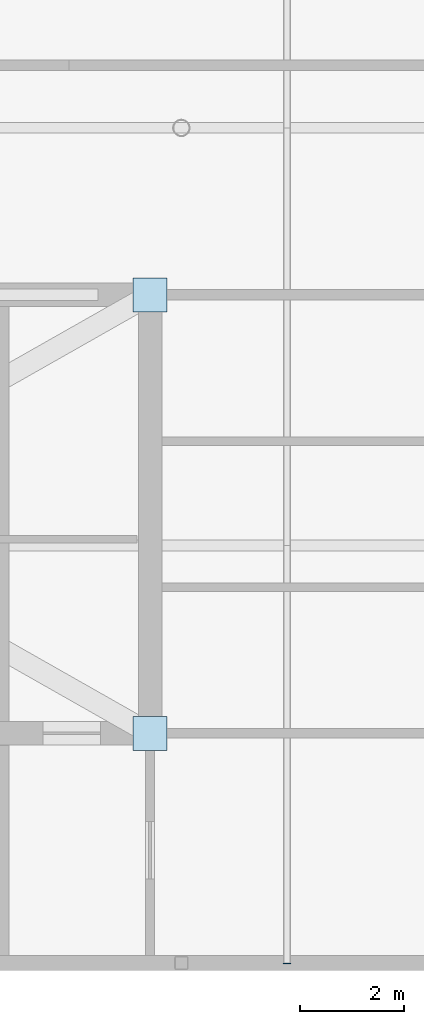
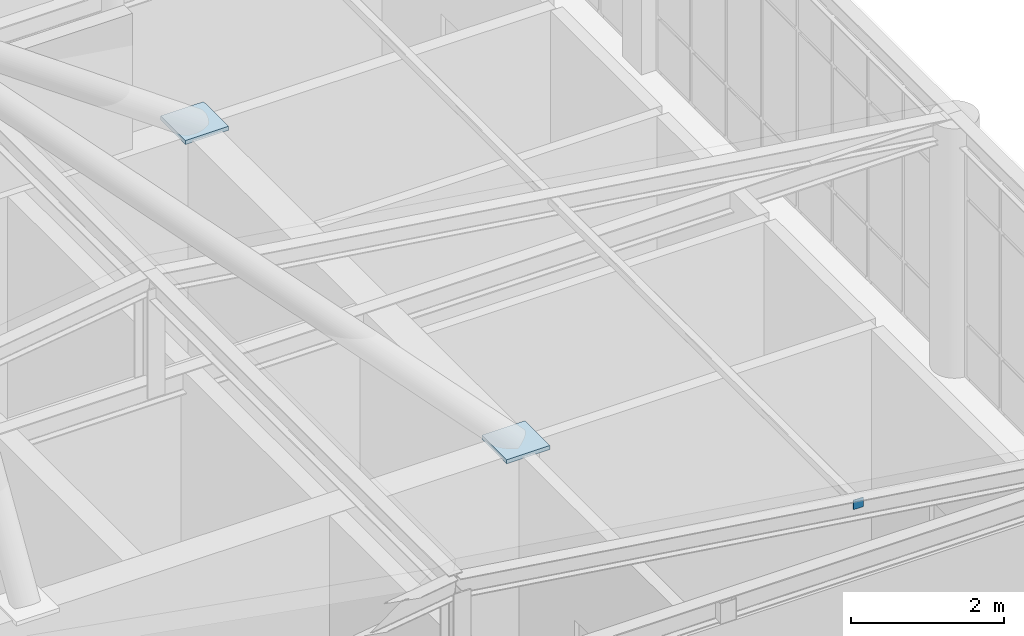
# One storey, part 15 of 21: 3 plates.
"""IFC4 building model written with IfcOpenShell, lengths in metres."""

from ifc_helpers import new_model, si_unit, direction, frame, origin, origin_2d, place, context, subcontext, project, spatial, rectangle, extrude, material, layer, layer_set, type_object, element, save


model = new_model("IFC4")

# Units and contexts
model_context = context("Model", 3, precision=1e-05, world=origin(), true_north=direction((0.0, 1.0)))
body_context = subcontext(model_context, "Body", "Model", "MODEL_VIEW")
ifc_project = project(units=[si_unit("LENGTHUNIT", "METRE"), si_unit("AREAUNIT", "SQUARE_METRE"), si_unit("VOLUMEUNIT", "CUBIC_METRE"), si_unit("PLANEANGLEUNIT", "RADIAN"), si_unit("MASSUNIT", "GRAM", prefix="KILO")], contexts=[model_context])

# Site, building, storey
site_placement = place(None, origin())
site = spatial("IfcSite", under=ifc_project, at=site_placement, CompositionType="ELEMENT")
building_placement = place(site_placement, origin())
building = spatial("IfcBuilding", under=site, at=building_placement, Name="Tarnveldt Square Police Headquarters", CompositionType="ELEMENT")
storey_placement = place(building_placement, frame((0.0, 0.0, 33.300048828125)))
storey = spatial("IfcBuildingStorey", under=building, at=storey_placement, Name="L07", CompositionType="ELEMENT", Elevation=33.300048828125)

# Plates
ifc_material = material(Name="Steel 350W", Category="steel")
ifc_layer_1 = layer(ifc_material, 0.06396484375)
ifc_layer_set_1 = layer_set([ifc_layer_1], Name="Steel 350W")
plate_type_1 = type_object("IfcPlateType", Name="PLT-BASE-64", PredefinedType="USERDEFINED", material=ifc_layer_set_1)
for number, where, z_axis, x_axis, name in (
    (1, (31.800048828125, 60.39990234375, 3.947998046875), (0.0, 0.0, 1.0), (1.0, 0.0, 0.0), "Roof Radio Mast RM1 Base Plate BP-RM1.2 on Core K1"),
    (2, (31.800048828125, 68.800048828125, 3.947998046875), (0.0, 0.0, 1.0), (1.0, 0.0, 0.0), "Roof Radio Mast RM1 Base Plate BP-RM1.4 on Core K1"),
):
    element("IfcPlate", number, at=place(storey_placement, frame(where, z_axis=z_axis, x_axis=x_axis)), inside=storey, type_object=plate_type_1, Name=name, ObjectType="BASE PLATE", PredefinedType="USERDEFINED", context=body_context, shape_type="SweptSolid", body=[
        extrude(rectangle(XDim=0.64990234375, YDim=0.64990234375, at=origin_2d()), origin(), (0.0, 0.0, 1.0), 0.06396484375),
    ])
ifc_layer_2 = layer(ifc_material, 0.011962890625)
ifc_layer_set_2 = layer_set([ifc_layer_2], Name="Steel 350W")
plate_type_2 = type_object("IfcPlateType", Name="PLT-CAP-12B", PredefinedType="USERDEFINED", material=ifc_layer_set_2)
plate_placement = place(storey_placement, frame((34.425048828125, 55.993896484375, 4.68505859375), z_axis=(0.0, 0.0, 1.0), x_axis=(1.0, 0.0, 0.0)))
element("IfcPlate", 3, at=plate_placement, inside=storey, type_object=plate_type_2, Name="L07 Pitched Roof Purlin E South End Cap Plate", ObjectType="END CAP PLATE", PredefinedType="USERDEFINED", context=body_context, shape_type="SweptSolid", body=[
    extrude(rectangle(XDim=0.14990234375, YDim=0.011962890625, at=origin_2d()), origin(), (0.0, 0.0, 1.0), 0.14990234375),
])

save(model, "model.ifc")
